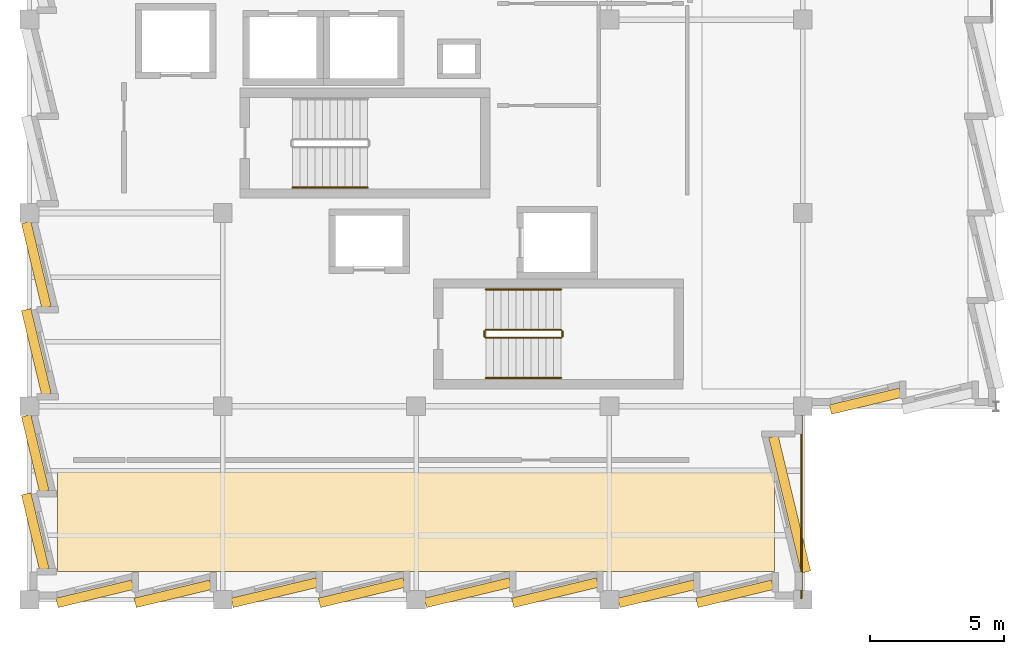
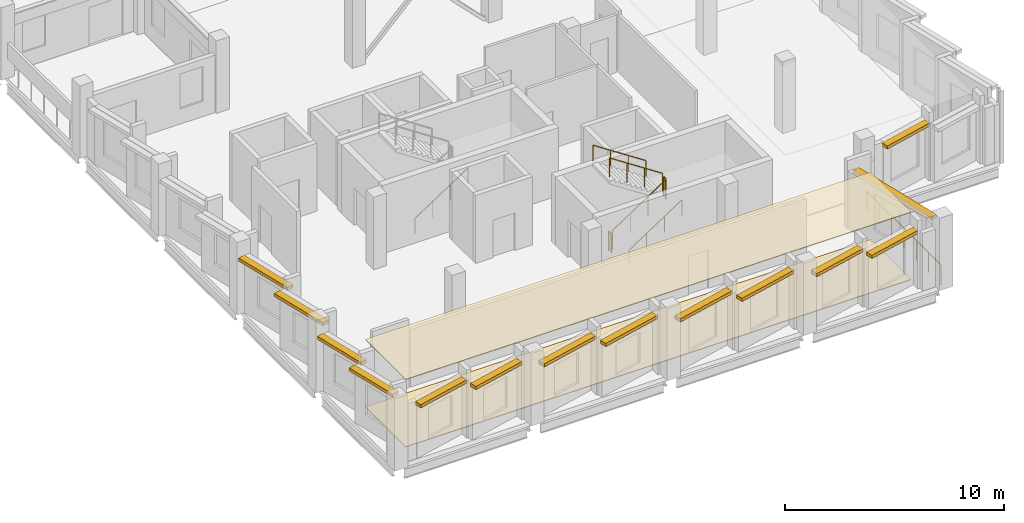
# One storey, part 28 of 33: 14 shading devices, 8 railings, 2 coverings.
"""IFC4 building model written with IfcOpenShell, lengths in metres."""

from ifc_helpers import new_model, si_unit, direction, frame, origin, origin_2d, place, context, subcontext, project, spatial, polyline, rectangle, circle, outline, extrude, material, layer, layer_set, type_object, element, save


model = new_model("IFC4")

# Units and contexts
model_context = context("Model", 3, precision=1e-05, world=origin(), true_north=direction((0.0, 1.0)))
body_context = subcontext(model_context, "Body", "Model", "MODEL_VIEW")
ifc_project = project(units=[si_unit("LENGTHUNIT", "METRE"), si_unit("AREAUNIT", "SQUARE_METRE"), si_unit("VOLUMEUNIT", "CUBIC_METRE"), si_unit("PLANEANGLEUNIT", "RADIAN"), si_unit("MASSUNIT", "GRAM", prefix="KILO")], contexts=[model_context])

# Site, building, storey
site_placement = place(None, origin())
site = spatial("IfcSite", under=ifc_project, at=site_placement, CompositionType="ELEMENT")
building_placement = place(site_placement, origin())
building = spatial("IfcBuilding", under=site, at=building_placement, Name="Kalmorath City Hall", CompositionType="ELEMENT")
storey_placement = place(building_placement, frame((0.0, 0.0, 22.949951171875)))
storey = spatial("IfcBuildingStorey", under=building, at=storey_placement, Name="L05", CompositionType="ELEMENT", Elevation=22.949951171875)

# Railing
ifc_material_1 = material(Name="Stainless steel and laminated glass", Category="steel")
railing_type_1 = type_object("IfcRailingType", Name="Outdoor terrace balustrade 1120", PredefinedType="BALUSTRADE", material=ifc_material_1)
railing_1_placement = place(storey_placement, frame((28.75, 0.050048828125, 0.0)))
element("IfcRailing", 1, at=railing_1_placement, inside=storey, type_object=railing_type_1, Name="L05 Southeast Overlook Balustrade #2", PredefinedType="BALUSTRADE", context=body_context, shape_type="SweptSolid", body=[
    extrude(circle(Radius=0.02392578125, at=origin_2d()), frame((0.0, 0.0, 1.09619140625), z_axis=(0.0, 1.0, 0.0), x_axis=(-1.0, 0.0, 0.0)), (0.0, 0.0, 1.0), 6.7900390625),
    extrude(circle(Radius=0.02099609375, at=origin_2d()), origin(), (0.0, 0.0, 1.0), 1.072021484375),
    extrude(circle(Radius=0.02099609375, at=origin_2d()), frame((0.0, 1.131591796875, 0.0)), (0.0, 0.0, 1.0), 1.072021484375),
    extrude(circle(Radius=0.02099609375, at=origin_2d()), frame((0.0, 2.263427734375, 0.0)), (0.0, 0.0, 1.0), 1.072021484375),
    extrude(circle(Radius=0.02099609375, at=origin_2d()), frame((0.0, 3.39501953125, 0.0)), (0.0, 0.0, 1.0), 1.072021484375),
    extrude(circle(Radius=0.02099609375, at=origin_2d()), frame((0.0, 4.526611328125, 0.0)), (0.0, 0.0, 1.0), 1.072021484375),
    extrude(circle(Radius=0.02099609375, at=origin_2d()), frame((0.0, 5.658447265625, 0.0)), (0.0, 0.0, 1.0), 1.072021484375),
    extrude(circle(Radius=0.02099609375, at=origin_2d()), frame((0.0, 6.7900390625, 0.0)), (0.0, 0.0, 1.0), 1.072021484375),
])

# Coverings
ifc_material_2 = material(Name="Perforated acoustic gypsum ceiling")
ifc_layer_1 = layer(ifc_material_2, 0.0400390625)
ifc_layer_set_1 = layer_set([ifc_layer_1], Name="Perforated acoustic gypsum ceiling")
covering_type_1 = type_object("IfcCoveringType", Name="Perforated acoustic suspended ceiling 40", PredefinedType="CEILING", material=ifc_layer_set_1)
covering_1_placement = place(storey_placement, frame((0.0, 0.0, 3.760009765625)))
element("IfcCovering", 2, at=covering_1_placement, inside=storey, type_object=covering_type_1, Name="L05 Office of the Mayor Executive Suite acoustic ceiling", PredefinedType="CEILING", context=body_context, shape_type="SweptSolid", body=[
    extrude(outline(polyline([(27.75, 4.75), (27.75, 1.050048828125), (1.050048828125, 1.050048828125), (1.050048828125, 4.75), (27.75, 4.75)])), origin(), (0.0, 0.0, 1.0), 0.0400390625),
])
ifc_material_3 = material(Name="Polished terrazzo finish")
ifc_layer_2 = layer(ifc_material_3, 0.034912109375)
ifc_layer_set_2 = layer_set([ifc_layer_2], Name="Polished terrazzo finish")
covering_type_2 = type_object("IfcCoveringType", Name="Polished civic terrazzo floor finish 35", PredefinedType="FLOORING", material=ifc_layer_set_2)
covering_2_placement = place(storey_placement, origin())
element("IfcCovering", 3, at=covering_2_placement, inside=storey, type_object=covering_type_2, Name="L05 Office of the Mayor Executive Suite terrazzo flooring", PredefinedType="FLOORING", context=body_context, shape_type="SweptSolid", body=[
    extrude(outline(polyline([(27.75, 4.75), (27.75, 1.050048828125), (1.050048828125, 1.050048828125), (1.050048828125, 4.75), (27.75, 4.75)])), origin(), (0.0, 0.0, 1.0), 0.03515625),
])

# Shading devices
ifc_material_4 = material(Name="Precast concrete C40/50", Category="concrete")
ifc_layer_3 = layer(ifc_material_4, 0.179931640625)
ifc_layer_set_3 = layer_set([ifc_layer_3], Name="Precast concrete C40/50")
shading_device_type = type_object("IfcShadingDeviceType", Name="Precast sawtooth brow sunshade 350", PredefinedType="USERDEFINED", material=ifc_layer_set_3)
shading_device_1_placement = place(storey_placement, frame((31.13134765625, 7.39208984375, 3.005859375), z_axis=(0.0, 0.0, 1.0), x_axis=(-0.97237399464, -0.233428392764, 0.0)))
element("IfcShadingDevice", 4, at=shading_device_1_placement, inside=storey, type_object=shading_device_type, Name="L05 precast sawtooth hood #431", ObjectType="SUNSHADE", PredefinedType="USERDEFINED", context=body_context, shape_type="SweptSolid", body=[
    extrude(rectangle(XDim=2.674560546875, YDim=0.360107421875, at=origin_2d()), origin(), (0.0, 0.0, 1.0), 0.179931640625),
])
shading_device_2_placement = place(storey_placement, frame((28.314208984375, 3.5537109375, 3.005859375), z_axis=(0.0, 0.0, 1.0), x_axis=(0.233445363856, -0.972369920398, 0.0)))
element("IfcShadingDevice", 5, at=shading_device_2_placement, inside=storey, type_object=shading_device_type, Name="L05 precast sawtooth hood #432", ObjectType="SUNSHADE", PredefinedType="USERDEFINED", context=body_context, shape_type="SweptSolid", body=[
    extrude(rectangle(XDim=5.18896484375, YDim=0.360107421875, at=origin_2d()), origin(), (0.0, 0.0, 1.0), 0.179931640625),
])
for number, where, z_axis, x_axis, name in (
    (6, (26.268310546875, 0.218017578125, 3.005859375), (0.0, 0.0, 1.0), (-0.972369920398, -0.233445363856, 0.0), "L05 precast sawtooth hood #433"),
    (7, (23.359375, 0.218017578125, 3.005859375), (0.0, 0.0, 1.0), (-0.972369920398, -0.233445363856, 0.0), "L05 precast sawtooth hood #434"),
):
    element("IfcShadingDevice", number, at=place(storey_placement, frame(where, z_axis=z_axis, x_axis=x_axis)), inside=storey, type_object=shading_device_type, Name=name, ObjectType="SUNSHADE", PredefinedType="USERDEFINED", context=body_context, shape_type="SweptSolid", body=[
        extrude(rectangle(XDim=2.896728515625, YDim=0.360107421875, at=origin_2d()), origin(), (0.0, 0.0, 1.0), 0.179931640625),
    ])
for number, where, z_axis, x_axis, name in (
    (8, (19.578369140625, 0.2587890625, 3.005859375), (0.0, 0.0, 1.0), (-0.972369920398, -0.233445363856, 0.0), "L05 precast sawtooth hood #435"),
    (9, (16.329345703125, 0.2587890625, 3.005859375), (0.0, 0.0, 1.0), (-0.972369920398, -0.233445363856, 0.0), "L05 precast sawtooth hood #436"),
    (10, (12.37841796875, 0.2587890625, 3.005859375), (0.0, 0.0, 1.0), (-0.972369920398, -0.233445363856, 0.0), "L05 precast sawtooth hood #437"),
    (11, (9.12939453125, 0.2587890625, 3.005859375), (0.0, 0.0, 1.0), (-0.972369920398, -0.233445363856, 0.0), "L05 precast sawtooth hood #438"),
):
    element("IfcShadingDevice", number, at=place(storey_placement, frame(where, z_axis=z_axis, x_axis=x_axis)), inside=storey, type_object=shading_device_type, Name=name, ObjectType="SUNSHADE", PredefinedType="USERDEFINED", context=body_context, shape_type="SweptSolid", body=[
        extrude(rectangle(XDim=3.246337890625, YDim=0.360107421875, at=origin_2d()), origin(), (0.0, 0.0, 1.0), 0.179931640625),
    ])
for number, where, z_axis, x_axis, name in (
    (12, (5.348388671875, 0.218017578125, 3.005859375), (0.0, 0.0, 1.0), (-0.972369920398, -0.233445363856, 0.0), "L05 precast sawtooth hood #439"),
    (13, (2.439208984375, 0.218017578125, 3.005859375), (0.0, 0.0, 1.0), (-0.972369920398, -0.233445363856, 0.0), "L05 precast sawtooth hood #440"),
    (14, (0.218017578125, 2.53173828125, 3.005859375), (0.0, 0.0, 1.0), (-0.233445363856, 0.972369920398, 0.0), "L05 precast sawtooth hood #441"),
    (15, (0.218017578125, 5.440673828125, 3.005859375), (0.0, 0.0, 1.0), (-0.233445363856, 0.972369920398, 0.0), "L05 precast sawtooth hood #442"),
):
    element("IfcShadingDevice", number, at=place(storey_placement, frame(where, z_axis=z_axis, x_axis=x_axis)), inside=storey, type_object=shading_device_type, Name=name, ObjectType="SUNSHADE", PredefinedType="USERDEFINED", context=body_context, shape_type="SweptSolid", body=[
        extrude(rectangle(XDim=2.896728515625, YDim=0.360107421875, at=origin_2d()), origin(), (0.0, 0.0, 1.0), 0.179931640625),
    ])
for number, where, z_axis, x_axis, name in (
    (16, (0.2587890625, 9.2216796875, 3.005859375), (0.0, 0.0, 1.0), (-0.233445363856, 0.972369920398, 0.0), "L05 precast sawtooth hood #443"),
    (17, (0.2587890625, 12.470703125, 3.005859375), (0.0, 0.0, 1.0), (-0.233445363856, 0.972369920398, 0.0), "L05 precast sawtooth hood #444"),
):
    element("IfcShadingDevice", number, at=place(storey_placement, frame(where, z_axis=z_axis, x_axis=x_axis)), inside=storey, type_object=shading_device_type, Name=name, ObjectType="SUNSHADE", PredefinedType="USERDEFINED", context=body_context, shape_type="SweptSolid", body=[
        extrude(rectangle(XDim=3.246337890625, YDim=0.360107421875, at=origin_2d()), origin(), (0.0, 0.0, 1.0), 0.179931640625),
    ])

# Railings
ifc_material_5 = material(Name="Painted steel guardrail", Category="steel")
railing_type_2 = type_object("IfcRailingType", Name="Protected stair guardrail 1100", PredefinedType="GUARDRAIL", material=ifc_material_5)
railing_2_placement = place(storey_placement, frame((17.0, 9.75, 0.18408203125)))
element("IfcRailing", 18, at=railing_2_placement, inside=storey, type_object=railing_type_2, Name="L05 ST-2 stair guard 1", PredefinedType="GUARDRAIL", context=body_context, shape_type="SweptSolid", body=[
    extrude(circle(Radius=0.02392578125, at=origin_2d()), frame((0.0, 0.0, 1.076171875), z_axis=(0.83556406348, 0.0, 0.549393024911), x_axis=(0.0, 1.0, 0.0)), (0.0, 0.0, 1.0), 3.35107421875),
    extrude(circle(Radius=0.02099609375, at=origin_2d()), origin(), (0.0, 0.0, 1.0), 1.052001953125),
    extrude(circle(Radius=0.02099609375, at=origin_2d()), frame((0.933349609375, 0.0, 0.61376953125)), (0.0, 0.0, 1.0), 1.052001953125),
    extrude(circle(Radius=0.02099609375, at=origin_2d()), frame((1.86669921875, 0.0, 1.227294921875)), (0.0, 0.0, 1.0), 1.052001953125),
    extrude(circle(Radius=0.02099609375, at=origin_2d()), frame((2.800048828125, 0.0, 1.841064453125)), (0.0, 0.0, 1.0), 1.052001953125),
])
railing_3_placement = place(storey_placement, frame((19.85009765625, 9.800048828125, 2.025146484375)))
element("IfcRailing", 19, at=railing_3_placement, inside=storey, type_object=railing_type_2, Name="L05 ST-2 stair guard 2", PredefinedType="GUARDRAIL", context=body_context, shape_type="SweptSolid", body=[
    extrude(circle(Radius=0.02392578125, at=origin_2d()), frame((0.0, 0.0, 1.076171875), z_axis=(0.0, 1.0, 0.0), x_axis=(-1.0, 0.0, 0.0)), (0.0, 0.0, 1.0), 0.199951171875),
    extrude(circle(Radius=0.02099609375, at=origin_2d()), origin(), (0.0, 0.0, 1.0), 1.052001953125),
    extrude(circle(Radius=0.02099609375, at=origin_2d()), frame((0.0, 0.199951171875, 0.0)), (0.0, 0.0, 1.0), 1.052001953125),
])
railing_4_placement = place(storey_placement, frame((19.800048828125, 10.050048828125, 2.209228515625)))
element("IfcRailing", 20, at=railing_4_placement, inside=storey, type_object=railing_type_2, Name="L05 ST-2 stair guard 3", PredefinedType="GUARDRAIL", context=body_context, shape_type="SweptSolid", body=[
    extrude(circle(Radius=0.02392578125, at=origin_2d()), frame((0.0, 0.0, 1.076171875), z_axis=(-0.835597507184, 0.0, 0.549342157483), x_axis=(0.0, -1.0, 0.0)), (0.0, 0.0, 1.0), 3.35107421875),
    extrude(circle(Radius=0.02099609375, at=origin_2d()), origin(), (0.0, 0.0, 1.0), 1.052001953125),
    extrude(circle(Radius=0.02099609375, at=origin_2d()), frame((-0.933349609375, 0.0, 0.613525390625)), (0.0, 0.0, 1.0), 1.052001953125),
    extrude(circle(Radius=0.02099609375, at=origin_2d()), frame((-1.86669921875, 0.0, 1.227294921875)), (0.0, 0.0, 1.0), 1.052001953125),
    extrude(circle(Radius=0.02099609375, at=origin_2d()), frame((-2.800048828125, 0.0, 1.8408203125)), (0.0, 0.0, 1.0), 1.052001953125),
])
railing_5_placement = place(storey_placement, frame((16.949951171875, 9.800048828125, 0.0)))
element("IfcRailing", 21, at=railing_5_placement, inside=storey, type_object=railing_type_2, Name="L05 ST-2 stair guard 4", PredefinedType="GUARDRAIL", context=body_context, shape_type="SweptSolid", body=[
    extrude(circle(Radius=0.02392578125, at=origin_2d()), frame((0.0, 0.0, 1.076171875), z_axis=(0.0, 1.0, 0.0), x_axis=(-1.0, 0.0, 0.0)), (0.0, 0.0, 1.0), 0.199951171875),
    extrude(circle(Radius=0.02099609375, at=origin_2d()), origin(), (0.0, 0.0, 1.0), 1.052001953125),
    extrude(circle(Radius=0.02099609375, at=origin_2d()), frame((0.0, 0.199951171875, 0.0)), (0.0, 0.0, 1.0), 1.052001953125),
])
ifc_material_6 = material(Name="Brushed stainless steel handrail", Category="steel")
railing_type_3 = type_object("IfcRailingType", Name="Stair pitch handrail 900", PredefinedType="HANDRAIL", material=ifc_material_6)
for number, where, name in (
    (22, (9.800048828125, 15.35009765625, 0.18408203125), "L05 ST-1 stair handrail 1"),
    (23, (17.0, 8.25, 0.18408203125), "L05 ST-2 stair handrail 1"),
):
    element("IfcRailing", number, at=place(storey_placement, frame(where)), inside=storey, type_object=railing_type_3, Name=name, PredefinedType="HANDRAIL", context=body_context, shape_type="SweptSolid", body=[
        extrude(circle(Radius=0.02392578125, at=origin_2d()), frame((0.0, 0.0, 0.8759765625), z_axis=(0.83556406348, 0.0, 0.549393024911), x_axis=(0.0, 1.0, 0.0)), (0.0, 0.0, 1.0), 3.35107421875),
        extrude(circle(Radius=0.02099609375, at=origin_2d()), origin(), (0.0, 0.0, 1.0), 0.851806640625),
        extrude(circle(Radius=0.02099609375, at=origin_2d()), frame((0.933349609375, 0.0, 0.61376953125)), (0.0, 0.0, 1.0), 0.851806640625),
        extrude(circle(Radius=0.02099609375, at=origin_2d()), frame((1.86669921875, 0.0, 1.227294921875)), (0.0, 0.0, 1.0), 0.851806640625),
        extrude(circle(Radius=0.02099609375, at=origin_2d()), frame((2.800048828125, 0.0, 1.841064453125)), (0.0, 0.0, 1.0), 0.851806640625),
    ])
railing_6_placement = place(storey_placement, frame((19.800048828125, 11.550048828125, 2.209228515625)))
element("IfcRailing", 24, at=railing_6_placement, inside=storey, type_object=railing_type_3, Name="L05 ST-2 stair handrail 2", PredefinedType="HANDRAIL", context=body_context, shape_type="SweptSolid", body=[
    extrude(circle(Radius=0.02392578125, at=origin_2d()), frame((0.0, 0.0, 0.8759765625), z_axis=(-0.835597507184, 0.0, 0.549342157483), x_axis=(0.0, -1.0, 0.0)), (0.0, 0.0, 1.0), 3.35107421875),
    extrude(circle(Radius=0.02099609375, at=origin_2d()), origin(), (0.0, 0.0, 1.0), 0.851806640625),
    extrude(circle(Radius=0.02099609375, at=origin_2d()), frame((-0.933349609375, 0.0, 0.613525390625)), (0.0, 0.0, 1.0), 0.851806640625),
    extrude(circle(Radius=0.02099609375, at=origin_2d()), frame((-1.86669921875, 0.0, 1.227294921875)), (0.0, 0.0, 1.0), 0.851806640625),
    extrude(circle(Radius=0.02099609375, at=origin_2d()), frame((-2.800048828125, 0.0, 1.8408203125)), (0.0, 0.0, 1.0), 0.851806640625),
])

save(model, "model.ifc")
